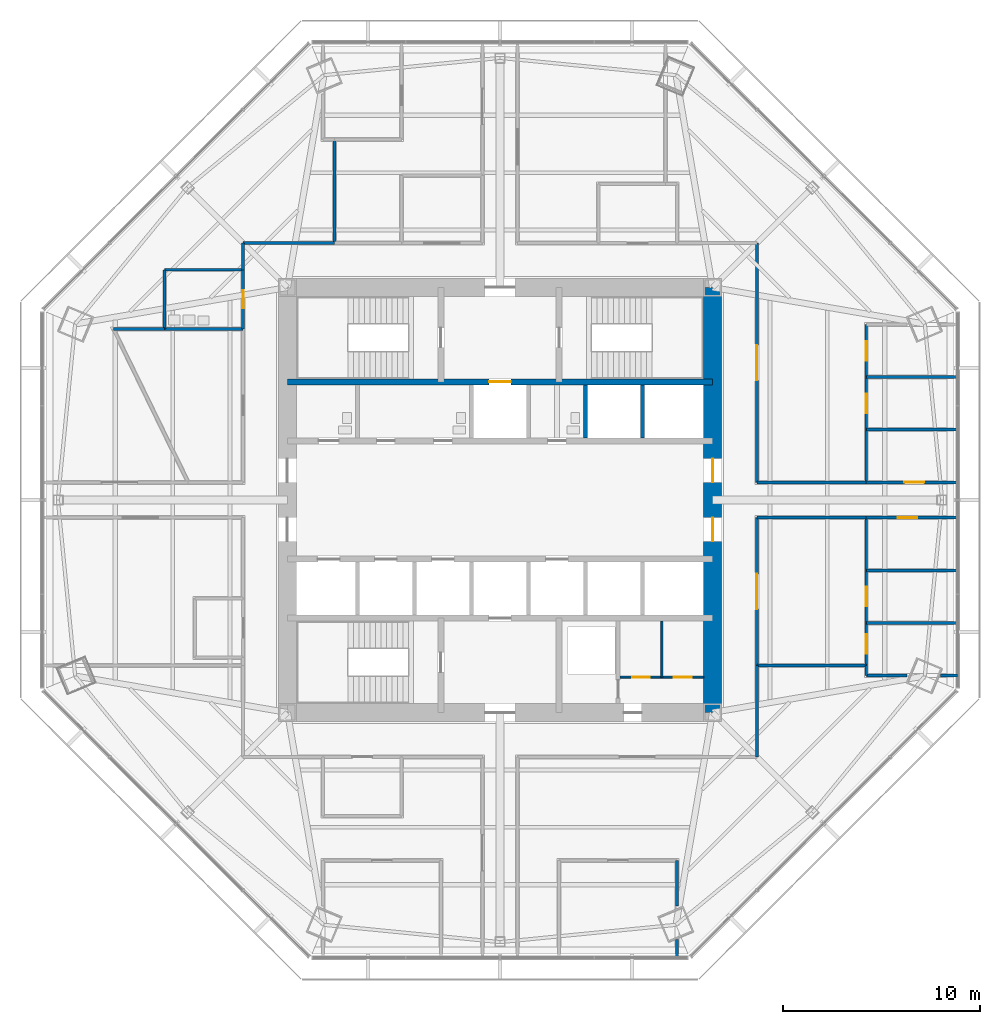
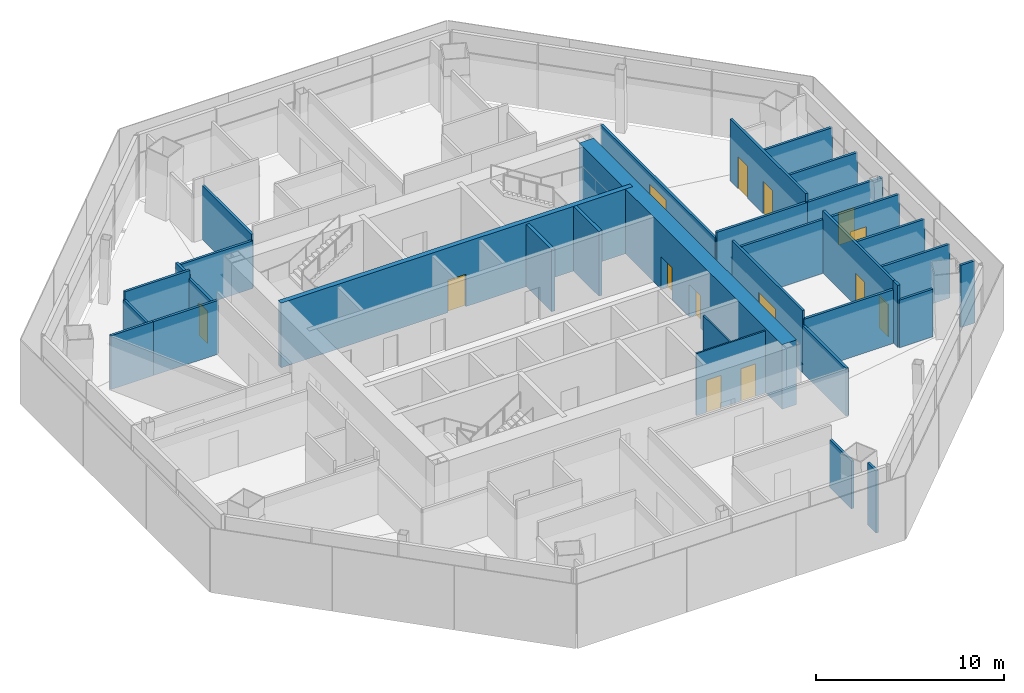
# One storey, part 10 of 15: 33 walls, 14 doors, 14 openings.
"""IFC4 building model written with IfcOpenShell, lengths in metres."""

from ifc_helpers import new_model, si_unit, direction, frame, frame_2d, origin, place, context, subcontext, project, spatial, rectangle, extrude, material, layer, layer_set, type_object, element, fill, save


model = new_model("IFC4")

# Units and contexts
model_context = context("Model", 3, precision=1e-05, world=origin(), true_north=direction((0.0, 1.0)))
body_context = subcontext(model_context, "Body", "Model", "MODEL_VIEW")
ifc_project = project(units=[si_unit("LENGTHUNIT", "METRE"), si_unit("AREAUNIT", "SQUARE_METRE"), si_unit("VOLUMEUNIT", "CUBIC_METRE"), si_unit("PLANEANGLEUNIT", "RADIAN"), si_unit("MASSUNIT", "GRAM", prefix="KILO")], contexts=[model_context])

# Site, building, storey
site_placement = place(None, origin())
site = spatial("IfcSite", under=ifc_project, at=site_placement, CompositionType="ELEMENT")
building_placement = place(site_placement, origin())
building = spatial("IfcBuilding", under=site, at=building_placement, Name="Mashrafa Tower", CompositionType="ELEMENT")
storey_placement = place(building_placement, frame((0.0, 0.0, 168.0)))
storey = spatial("IfcBuildingStorey", under=building, at=storey_placement, Name="L38", CompositionType="ELEMENT", Elevation=168.0)

# Wall, opening, door
ifc_material_1 = material(Name="Concrete C60/75", Category="concrete")
ifc_layer_1 = layer(ifc_material_1, 0.300048828125)
ifc_layer_set_1 = layer_set([ifc_layer_1], Name="Core wall 300 C60/75")
wall_type_1 = type_object("IfcWallType", Name="Core wall 300 C60/75", PredefinedType="SOLIDWALL", material=ifc_layer_set_1)
wall_1_placement = place(storey_placement, frame((-10.800048828125, 6.0, 0.0), z_axis=(0.0, 0.0, 1.0), x_axis=(1.0, 0.0, 0.0)))
wall_1 = element("IfcWall", 1, at=wall_1_placement, inside=storey, type_object=wall_type_1, Name="Core wall CB-N L38", PredefinedType="SOLIDWALL", context=body_context, shape_type="SweptSolid", body=[
    extrude(rectangle(XDim=21.60009765625, YDim=0.300048828125, at=frame_2d((10.800048828125, 0.0))), origin(), (0.0, 0.0, 1.0), 4.199951171875),
])
opening_1_placement = place(wall_1_placement, frame((10.25, 0.0, 0.0)))
opening_1 = element("IfcOpeningElement", 2, at=opening_1_placement, cuts=wall_1, Name="Opening 38.F1", PredefinedType="OPENING", context=body_context, shape_type="SweptSolid", body=[
    extrude(rectangle(XDim=1.10009765625, YDim=2.10009765625, at=frame_2d((0.550048828125, 1.050048828125))), frame((0.0, 0.159912109375, 0.0), z_axis=(0.0, -1.0, 0.0), x_axis=(1.0, 0.0, 0.0)), (0.0, 0.0, 1.0), 0.320068359375),
])
ifc_material_2 = material(Name="Steel door", Category="steel")
door_type_1 = type_object("IfcDoorType", Name="Lift landing door 1100 x 2100 90 min", OperationType="DOUBLE_DOOR_SLIDING", PredefinedType="DOOR", material=ifc_material_2)
door_1_placement = place(opening_1_placement, origin())
door_1 = element("IfcDoor", 3, at=door_1_placement, inside=storey, type_object=door_type_1, Name="Lift landing door F1 L38", OperationType="DOUBLE_DOOR_SLIDING", OverallHeight=2.10009765625, OverallWidth=1.10009765625, PredefinedType="DOOR", context=body_context, shape_type="SweptSolid", body=[
    extrude(rectangle(XDim=1.10009765625, YDim=2.10009765625, at=frame_2d((0.550048828125, 1.050048828125))), frame((0.0, 0.02490234375, 0.0), z_axis=(0.0, -1.0, 0.0), x_axis=(1.0, 0.0, 0.0)), (0.0, 0.0, 1.0), 0.050048828125),
])
fill(opening_1, door_1)

# Wall, openings, doors
ifc_material_3 = material(Name="Concrete C60/75", Category="concrete")
ifc_layer_2 = layer(ifc_material_3, 0.89990234375)
ifc_layer_set_2 = layer_set([ifc_layer_2], Name="Core wall 900 C60/75")
wall_type_2 = type_object("IfcWallType", Name="Core wall 900 C60/75", PredefinedType="SOLIDWALL", material=ifc_layer_set_2)
wall_2_placement = place(storey_placement, frame((10.800048828125, -10.800048828125, 0.0), z_axis=(0.0, 0.0, 1.0), x_axis=(0.0, 1.0, 0.0)))
wall_2 = element("IfcWall", 4, at=wall_2_placement, inside=storey, type_object=wall_type_2, Name="Core wall CW-E L38", PredefinedType="SOLIDWALL", context=body_context, shape_type="SweptSolid", body=[
    extrude(rectangle(XDim=21.60009765625, YDim=0.89990234375, at=frame_2d((10.800048828125, 0.0))), origin(), (0.0, 0.0, 1.0), 4.199951171875),
])
opening_2_placement = place(wall_2_placement, frame((11.699951171875, 0.0, 0.0)))
opening_2 = element("IfcOpeningElement", 5, at=opening_2_placement, cuts=wall_2, Name="Opening 38.024", PredefinedType="OPENING", context=body_context, shape_type="SweptSolid", body=[
    extrude(rectangle(XDim=1.199951171875, YDim=2.10009765625, at=frame_2d((0.60009765625, 1.050048828125))), frame((0.0, 0.4599609375, 0.0), z_axis=(0.0, -1.0, 0.0), x_axis=(1.0, 0.0, 0.0)), (0.0, 0.0, 1.0), 0.919921875),
])
opening_3_placement = place(wall_2_placement, frame((8.699951171875, 0.0, 0.0)))
opening_3 = element("IfcOpeningElement", 6, at=opening_3_placement, cuts=wall_2, Name="Opening 38.026", PredefinedType="OPENING", context=body_context, shape_type="SweptSolid", body=[
    extrude(rectangle(XDim=1.199951171875, YDim=2.10009765625, at=frame_2d((0.60009765625, 1.050048828125))), frame((0.0, 0.4599609375, 0.0), z_axis=(0.0, -1.0, 0.0), x_axis=(1.0, 0.0, 0.0)), (0.0, 0.0, 1.0), 0.919921875),
])
ifc_material_4 = material(Name="Steel door", Category="steel")
door_type_2 = type_object("IfcDoorType", Name="Lift hall door 1200 x 2100 90 min", OperationType="USERDEFINED", PredefinedType="DOOR", material=ifc_material_4)
door_2_placement = place(opening_2_placement, frame((1.199951171875, 0.0, 0.0), z_axis=(0.0, 0.0, 1.0), x_axis=(-1.0, 0.0, 0.0)))
door_2 = element("IfcDoor", 7, at=door_2_placement, inside=storey, type_object=door_type_2, Name="Lift hall door east L38", OperationType="SINGLE_SWING_LEFT", OverallHeight=2.10009765625, OverallWidth=1.199951171875, PredefinedType="DOOR", context=body_context, shape_type="SweptSolid", body=[
    extrude(rectangle(XDim=1.199951171875, YDim=2.10009765625, at=frame_2d((0.60009765625, 1.050048828125))), frame((0.0, 0.02490234375, 0.0), z_axis=(0.0, -1.0, 0.0), x_axis=(1.0, 0.0, 0.0)), (0.0, 0.0, 1.0), 0.050048828125),
])
fill(opening_2, door_2)
door_3_placement = place(opening_3_placement, frame((1.199951171875, 0.0, 0.0), z_axis=(0.0, 0.0, 1.0), x_axis=(-1.0, 0.0, 0.0)))
door_3 = element("IfcDoor", 8, at=door_3_placement, inside=storey, type_object=door_type_2, Name="Lift hall door east L38", OperationType="SINGLE_SWING_RIGHT", OverallHeight=2.10009765625, OverallWidth=1.199951171875, PredefinedType="DOOR", context=body_context, shape_type="SweptSolid", body=[
    extrude(rectangle(XDim=1.199951171875, YDim=2.10009765625, at=frame_2d((0.60009765625, 1.050048828125))), frame((0.0, 0.02490234375, 0.0), z_axis=(0.0, -1.0, 0.0), x_axis=(1.0, 0.0, 0.0)), (0.0, 0.0, 1.0), 0.050048828125),
])
fill(opening_3, door_3)

# Wall, opening, door
ifc_material_5 = material(Name="Gypsum board on steel studs", Category="steel")
ifc_layer_3 = layer(ifc_material_5, 0.14990234375)
ifc_layer_set_3 = layer_set([ifc_layer_3], Name="Corridor partition 150 1 hr")
wall_type_3 = type_object("IfcWallType", Name="Corridor partition 150 1 hr", PredefinedType="PARTITIONING", material=ifc_layer_set_3)
wall_3_placement = place(storey_placement, frame((-13.050048828125, 11.700927734375, 0.0), z_axis=(0.0, 0.0, 1.0), x_axis=(0.0, -1.0, 0.0)))
wall_3 = element("IfcWall", 9, at=wall_3_placement, inside=storey, type_object=wall_type_3, Name="Corridor wall L38-003", PredefinedType="PARTITIONING", context=body_context, shape_type="SweptSolid", body=[
    extrude(rectangle(XDim=3.001953125, YDim=0.14990234375, at=frame_2d((1.5009765625, 0.0))), origin(), (0.0, 0.0, 1.0), 3.097900390625),
])
opening_4_placement = place(wall_3_placement, frame((1.051025390625, 0.0, 0.0)))
opening_4 = element("IfcOpeningElement", 10, at=opening_4_placement, cuts=wall_3, Name="Opening 38.002", PredefinedType="OPENING", context=body_context, shape_type="SweptSolid", body=[
    extrude(rectangle(XDim=0.89990234375, YDim=2.10009765625, at=frame_2d((0.449951171875, 1.050048828125))), frame((0.0, 0.0849609375, 0.0), z_axis=(0.0, -1.0, 0.0), x_axis=(1.0, 0.0, 0.0)), (0.0, 0.0, 1.0), 0.169921875),
])
ifc_material_6 = material(Name="Timber door", Category="wood")
door_type_3 = type_object("IfcDoorType", Name="Toilet door 900 x 2100", OperationType="USERDEFINED", PredefinedType="DOOR", material=ifc_material_6)
door_4_placement = place(opening_4_placement, frame((0.89990234375, 0.0, 0.0), z_axis=(0.0, 0.0, 1.0), x_axis=(-1.0, 0.0, 0.0)))
door_4 = element("IfcDoor", 11, at=door_4_placement, inside=storey, type_object=door_type_3, Name="Ablution Room L38 door", OperationType="SINGLE_SWING_RIGHT", OverallHeight=2.10009765625, OverallWidth=0.89990234375, PredefinedType="DOOR", context=body_context, shape_type="SweptSolid", body=[
    extrude(rectangle(XDim=0.89990234375, YDim=2.10009765625, at=frame_2d((0.449951171875, 1.050048828125))), frame((0.0, 0.02490234375, 0.0), z_axis=(0.0, -1.0, 0.0), x_axis=(1.0, 0.0, 0.0)), (0.0, 0.0, 1.0), 0.050048828125),
])
fill(opening_4, door_4)

wall_4_placement = place(storey_placement, frame((18.611083984375, -0.89990234375, 0.0), z_axis=(0.0, 0.0, 1.0), x_axis=(1.0, 0.0, 0.0)))
wall_4 = element("IfcWall", 12, at=wall_4_placement, inside=storey, type_object=wall_type_3, Name="Corridor wall L38-009", PredefinedType="PARTITIONING", context=body_context, shape_type="SweptSolid", body=[
    extrude(rectangle(XDim=4.635009765625, YDim=0.14990234375, at=frame_2d((2.3173828125, 0.0))), origin(), (0.0, 0.0, 1.0), 3.49169921875),
])
opening_5_placement = place(wall_4_placement, frame((1.6005859375, 0.0, 0.0)))
opening_5 = element("IfcOpeningElement", 13, at=opening_5_placement, cuts=wall_4, Name="Opening 38.010", PredefinedType="OPENING", context=body_context, shape_type="SweptSolid", body=[
    extrude(rectangle(XDim=1.0, YDim=2.10009765625, at=frame_2d((0.5, 1.050048828125))), frame((0.0, 0.0849609375, 0.0), z_axis=(0.0, -1.0, 0.0), x_axis=(1.0, 0.0, 0.0)), (0.0, 0.0, 1.0), 0.169921875),
])
ifc_material_7 = material(Name="Timber door", Category="wood")
door_type_4 = type_object("IfcDoorType", Name="Door 1000 x 2100", OperationType="USERDEFINED", PredefinedType="DOOR", material=ifc_material_7)
door_5_placement = place(opening_5_placement, frame((1.0, 0.0, 0.0), z_axis=(0.0, 0.0, 1.0), x_axis=(-1.0, 0.0, 0.0)))
door_5 = element("IfcDoor", 14, at=door_5_placement, inside=storey, type_object=door_type_4, Name="Office 38-1-3 door", OperationType="SINGLE_SWING_RIGHT", OverallHeight=2.10009765625, OverallWidth=1.0, PredefinedType="DOOR", context=body_context, shape_type="SweptSolid", body=[
    extrude(rectangle(XDim=1.0, YDim=2.10009765625, at=frame_2d((0.5, 1.050048828125))), frame((0.0, 0.02490234375, 0.0), z_axis=(0.0, -1.0, 0.0), x_axis=(1.0, 0.0, 0.0)), (0.0, 0.0, 1.0), 0.050048828125),
])
fill(opening_5, door_5)

wall_5_placement = place(storey_placement, frame((23.24609375, 0.89990234375, 0.0), z_axis=(0.0, 0.0, 1.0), x_axis=(-1.0, 0.0, 0.0)))
wall_5 = element("IfcWall", 15, at=wall_5_placement, inside=storey, type_object=wall_type_3, Name="Corridor wall L38-010", PredefinedType="PARTITIONING", context=body_context, shape_type="SweptSolid", body=[
    extrude(rectangle(XDim=4.635009765625, YDim=0.14990234375, at=frame_2d((2.3173828125, 0.0))), origin(), (0.0, 0.0, 1.0), 3.49169921875),
])
opening_6_placement = place(wall_5_placement, frame((1.699462890625, 0.0, 0.0)))
opening_6 = element("IfcOpeningElement", 16, at=opening_6_placement, cuts=wall_5, Name="Opening 38.011", PredefinedType="OPENING", context=body_context, shape_type="SweptSolid", body=[
    extrude(rectangle(XDim=1.0, YDim=2.10009765625, at=frame_2d((0.5, 1.050048828125))), frame((0.0, 0.0849609375, 0.0), z_axis=(0.0, -1.0, 0.0), x_axis=(1.0, 0.0, 0.0)), (0.0, 0.0, 1.0), 0.169921875),
])
door_6_placement = place(opening_6_placement, frame((1.0, 0.0, 0.0), z_axis=(0.0, 0.0, 1.0), x_axis=(-1.0, 0.0, 0.0)))
door_6 = element("IfcDoor", 17, at=door_6_placement, inside=storey, type_object=door_type_4, Name="Office 38-2-1 door", OperationType="SINGLE_SWING_RIGHT", OverallHeight=2.10009765625, OverallWidth=1.0, PredefinedType="DOOR", context=body_context, shape_type="SweptSolid", body=[
    extrude(rectangle(XDim=1.0, YDim=2.10009765625, at=frame_2d((0.5, 1.050048828125))), frame((0.0, 0.02490234375, 0.0), z_axis=(0.0, -1.0, 0.0), x_axis=(1.0, 0.0, 0.0)), (0.0, 0.0, 1.0), 0.050048828125),
])
fill(opening_6, door_6)

# Wall
wall_6_placement = place(storey_placement, frame((18.61328125, 0.89990234375, 0.0), z_axis=(0.0, 0.0, 1.0), x_axis=(-1.0, 0.0, 0.0)))
element("IfcWall", 18, at=wall_6_placement, inside=storey, type_object=wall_type_3, Name="Corridor wall L38-011", PredefinedType="PARTITIONING", context=body_context, shape_type="SweptSolid", body=[
    extrude(rectangle(XDim=5.563232421875, YDim=0.14990234375, at=frame_2d((2.78173828125, 0.0))), origin(), (0.0, 0.0, 1.0), 3.49169921875),
])

# Wall, opening, door
wall_7_placement = place(storey_placement, frame((13.050048828125, 0.89990234375, 0.0), z_axis=(0.0, 0.0, 1.0), x_axis=(0.0, 1.0, 0.0)))
wall_7 = element("IfcWall", 19, at=wall_7_placement, inside=storey, type_object=wall_type_3, Name="Corridor wall L38-012", PredefinedType="PARTITIONING", context=body_context, shape_type="SweptSolid", body=[
    extrude(rectangle(XDim=12.150146484375, YDim=0.14990234375, at=frame_2d((6.0751953125, 0.0))), origin(), (0.0, 0.0, 1.0), 3.097900390625),
])
opening_7_placement = place(wall_7_placement, frame((5.175048828125, 0.0, 0.0)))
opening_7 = element("IfcOpeningElement", 20, at=opening_7_placement, cuts=wall_7, Name="Opening 38.016", PredefinedType="OPENING", context=body_context, shape_type="SweptSolid", body=[
    extrude(rectangle(XDim=1.800048828125, YDim=2.39990234375, at=frame_2d((0.89990234375, 1.199951171875))), frame((0.0, 0.0849609375, 0.0), z_axis=(0.0, -1.0, 0.0), x_axis=(1.0, 0.0, 0.0)), (0.0, 0.0, 1.0), 0.169921875),
])
ifc_material_8 = material(Name="Timber door", Category="wood")
door_type_5 = type_object("IfcDoorType", Name="Door pair 1800 x 2400", OperationType="DOUBLE_DOOR_SINGLE_SWING", PredefinedType="DOOR", material=ifc_material_8)
door_7_placement = place(opening_7_placement, frame((1.800048828125, 0.0, 0.0), z_axis=(0.0, 0.0, 1.0), x_axis=(-1.0, 0.0, 0.0)))
door_7 = element("IfcDoor", 21, at=door_7_placement, inside=storey, type_object=door_type_5, Name="Office Tenancy 38-1-NE1 door", OperationType="DOUBLE_DOOR_SINGLE_SWING", OverallHeight=2.39990234375, OverallWidth=1.800048828125, PredefinedType="DOOR", context=body_context, shape_type="SweptSolid", body=[
    extrude(rectangle(XDim=1.800048828125, YDim=2.39990234375, at=frame_2d((0.89990234375, 1.199951171875))), frame((0.0, 0.02490234375, 0.0), z_axis=(0.0, -1.0, 0.0), x_axis=(1.0, 0.0, 0.0)), (0.0, 0.0, 1.0), 0.050048828125),
])
fill(opening_7, door_7)

# Walls
wall_8_placement = place(storey_placement, frame((-8.39892578125, 13.050048828125, 0.0), z_axis=(0.0, 0.0, 1.0), x_axis=(-1.0, 0.0, 0.0)))
element("IfcWall", 22, at=wall_8_placement, inside=storey, type_object=wall_type_3, Name="Corridor wall L38-017", PredefinedType="PARTITIONING", context=body_context, shape_type="SweptSolid", body=[
    extrude(rectangle(XDim=4.651123046875, YDim=0.14990234375, at=frame_2d((2.32568359375, 0.0))), origin(), (0.0, 0.0, 1.0), 3.097900390625),
])
wall_9_placement = place(storey_placement, frame((-13.050048828125, 13.050048828125, 0.0), z_axis=(0.0, 0.0, 1.0), x_axis=(0.0, -1.0, 0.0)))
element("IfcWall", 23, at=wall_9_placement, inside=storey, type_object=wall_type_3, Name="Corridor wall L38-018", PredefinedType="PARTITIONING", context=body_context, shape_type="SweptSolid", body=[
    extrude(rectangle(XDim=1.35107421875, YDim=0.14990234375, at=frame_2d((0.675537109375, 0.0))), origin(), (0.0, 0.0, 1.0), 3.2705078125),
])
wall_10_placement = place(storey_placement, frame((13.050048828125, -13.050048828125, 0.0), z_axis=(0.0, 0.0, 1.0), x_axis=(0.0, 1.0, 0.0)))
element("IfcWall", 24, at=wall_10_placement, inside=storey, type_object=wall_type_3, Name="Corridor wall L38-030", PredefinedType="PARTITIONING", context=body_context, shape_type="SweptSolid", body=[
    extrude(rectangle(XDim=4.651123046875, YDim=0.14990234375, at=frame_2d((2.32568359375, 0.0))), origin(), (0.0, 0.0, 1.0), 3.097900390625),
])

# Wall, opening, door
wall_11_placement = place(storey_placement, frame((13.050048828125, -8.40087890625, 0.0), z_axis=(0.0, 0.0, 1.0), x_axis=(0.0, 1.0, 0.0)))
wall_11 = element("IfcWall", 25, at=wall_11_placement, inside=storey, type_object=wall_type_3, Name="Corridor wall L38-031", PredefinedType="PARTITIONING", context=body_context, shape_type="SweptSolid", body=[
    extrude(rectangle(XDim=7.5009765625, YDim=0.14990234375, at=frame_2d((3.75048828125, 0.0))), origin(), (0.0, 0.0, 1.0), 4.034912109375),
])
opening_8_placement = place(wall_11_placement, frame((2.8505859375, 0.0, 0.0)))
opening_8 = element("IfcOpeningElement", 26, at=opening_8_placement, cuts=wall_11, Name="Opening 38.023", PredefinedType="OPENING", context=body_context, shape_type="SweptSolid", body=[
    extrude(rectangle(XDim=1.800048828125, YDim=2.39990234375, at=frame_2d((0.89990234375, 1.199951171875))), frame((0.0, 0.0849609375, 0.0), z_axis=(0.0, -1.0, 0.0), x_axis=(1.0, 0.0, 0.0)), (0.0, 0.0, 1.0), 0.169921875),
])
door_8_placement = place(opening_8_placement, frame((1.800048828125, 0.0, 0.0), z_axis=(0.0, 0.0, 1.0), x_axis=(-1.0, 0.0, 0.0)))
door_8 = element("IfcDoor", 27, at=door_8_placement, inside=storey, type_object=door_type_5, Name="Office Tenancy 38-2-SE2 door", OperationType="DOUBLE_DOOR_SINGLE_SWING", OverallHeight=2.39990234375, OverallWidth=1.800048828125, PredefinedType="DOOR", context=body_context, shape_type="SweptSolid", body=[
    extrude(rectangle(XDim=1.800048828125, YDim=2.39990234375, at=frame_2d((0.89990234375, 1.199951171875))), frame((0.0, 0.02490234375, 0.0), z_axis=(0.0, -1.0, 0.0), x_axis=(1.0, 0.0, 0.0)), (0.0, 0.0, 1.0), 0.050048828125),
])
fill(opening_8, door_8)

# Wall
wall_12_placement = place(storey_placement, frame((13.050048828125, -0.89990234375, 0.0), z_axis=(0.0, 0.0, 1.0), x_axis=(1.0, 0.0, 0.0)))
element("IfcWall", 28, at=wall_12_placement, inside=storey, type_object=wall_type_3, Name="Corridor wall L38-032", PredefinedType="PARTITIONING", context=body_context, shape_type="SweptSolid", body=[
    extrude(rectangle(XDim=5.563232421875, YDim=0.14990234375, at=frame_2d((2.78173828125, 0.0))), origin(), (0.0, 0.0, 1.0), 3.49169921875),
])

# Wall, openings, doors
ifc_material_9 = material(Name="Gypsum board on steel studs", Category="steel")
ifc_layer_4 = layer(ifc_material_9, 0.10009765625)
ifc_layer_set_4 = layer_set([ifc_layer_4], Name="Partition 100 1 hr")
wall_type_4 = type_object("IfcWallType", Name="Partition 100 1 hr", PredefinedType="PARTITIONING", material=ifc_layer_set_4)
wall_13_placement = place(storey_placement, frame((6.10009765625, -9.0, 0.0), z_axis=(0.0, 0.0, 1.0), x_axis=(1.0, 0.0, 0.0)))
wall_13 = element("IfcWall", 29, at=wall_13_placement, inside=storey, type_object=wall_type_4, Name="Services lobby partition A L38", PredefinedType="PARTITIONING", context=body_context, shape_type="SweptSolid", body=[
    extrude(rectangle(XDim=4.25, YDim=0.10009765625, at=frame_2d((2.125, 0.0))), origin(), (0.0, 0.0, 1.0), 4.034912109375),
])
opening_9_placement = place(wall_13_placement, frame((0.612548828125, 0.0, 0.0)))
opening_9 = element("IfcOpeningElement", 30, at=opening_9_placement, cuts=wall_13, Name="Opening 38.035", PredefinedType="OPENING", context=body_context, shape_type="SweptSolid", body=[
    extrude(rectangle(XDim=0.89990234375, YDim=2.10009765625, at=frame_2d((0.449951171875, 1.050048828125))), frame((0.0, 0.06005859375, 0.0), z_axis=(0.0, -1.0, 0.0), x_axis=(1.0, 0.0, 0.0)), (0.0, 0.0, 1.0), 0.1201171875),
])
opening_10_placement = place(wall_13_placement, frame((2.737548828125, 0.0, 0.0)))
opening_10 = element("IfcOpeningElement", 31, at=opening_10_placement, cuts=wall_13, Name="Opening 38.036", PredefinedType="OPENING", context=body_context, shape_type="SweptSolid", body=[
    extrude(rectangle(XDim=0.89990234375, YDim=2.10009765625, at=frame_2d((0.449951171875, 1.050048828125))), frame((0.0, 0.06005859375, 0.0), z_axis=(0.0, -1.0, 0.0), x_axis=(1.0, 0.0, 0.0)), (0.0, 0.0, 1.0), 0.1201171875),
])
ifc_material_10 = material(Name="Timber door", Category="wood")
door_type_6 = type_object("IfcDoorType", Name="Store door 900 x 2100", OperationType="USERDEFINED", PredefinedType="DOOR", material=ifc_material_10)
door_9_placement = place(opening_9_placement, origin())
door_9 = element("IfcDoor", 32, at=door_9_placement, inside=storey, type_object=door_type_6, Name="Communications Room L38 door", OperationType="SINGLE_SWING_RIGHT", OverallHeight=2.10009765625, OverallWidth=0.89990234375, PredefinedType="DOOR", context=body_context, shape_type="SweptSolid", body=[
    extrude(rectangle(XDim=0.89990234375, YDim=2.10009765625, at=frame_2d((0.449951171875, 1.050048828125))), frame((0.0, 0.02490234375, 0.0), z_axis=(0.0, -1.0, 0.0), x_axis=(1.0, 0.0, 0.0)), (0.0, 0.0, 1.0), 0.050048828125),
])
fill(opening_9, door_9)
door_10_placement = place(opening_10_placement, origin())
door_10 = element("IfcDoor", 33, at=door_10_placement, inside=storey, type_object=door_type_6, Name="Cleaner's Store L38 door", OperationType="SINGLE_SWING_LEFT", OverallHeight=2.10009765625, OverallWidth=0.89990234375, PredefinedType="DOOR", context=body_context, shape_type="SweptSolid", body=[
    extrude(rectangle(XDim=0.89990234375, YDim=2.10009765625, at=frame_2d((0.449951171875, 1.050048828125))), frame((0.0, 0.02490234375, 0.0), z_axis=(0.0, -1.0, 0.0), x_axis=(1.0, 0.0, 0.0)), (0.0, 0.0, 1.0), 0.050048828125),
])
fill(opening_10, door_10)

# Walls
wall_14_placement = place(storey_placement, frame((8.22509765625, -9.0, 0.0), z_axis=(0.0, 0.0, 1.0), x_axis=(0.0, 1.0, 0.0)))
element("IfcWall", 34, at=wall_14_placement, inside=storey, type_object=wall_type_4, Name="Services lobby partition B L38", PredefinedType="PARTITIONING", context=body_context, shape_type="SweptSolid", body=[
    extrude(rectangle(XDim=2.85009765625, YDim=0.10009765625, at=frame_2d((1.425048828125, 0.0))), origin(), (0.0, 0.0, 1.0), 4.034912109375),
])
ifc_material_11 = material(Name="Gypsum board on steel studs", Category="steel")
ifc_layer_5 = layer(ifc_material_11, 0.14990234375)
ifc_layer_set_5 = layer_set([ifc_layer_5], Name="Partition 150")
wall_type_5 = type_object("IfcWallType", Name="Partition 150", PredefinedType="PARTITIONING", material=ifc_layer_set_5)
wall_15_placement = place(storey_placement, frame((-13.050048828125, 8.699951171875, 0.0), z_axis=(0.0, 0.0, 1.0), x_axis=(-1.0, 0.0, 0.0)))
element("IfcWall", 35, at=wall_15_placement, inside=storey, type_object=wall_type_5, Name="Partition wall L38-033", PredefinedType="PARTITIONING", context=body_context, shape_type="SweptSolid", body=[
    extrude(rectangle(XDim=4.0009765625, YDim=0.14990234375, at=frame_2d((2.00048828125, 0.0))), origin(), (0.0, 0.0, 1.0), 3.49169921875),
])
wall_16_placement = place(storey_placement, frame((-17.049072265625, 8.699951171875, 0.0), z_axis=(0.0, 0.0, 1.0), x_axis=(-1.0, 0.0, 0.0)))
element("IfcWall", 36, at=wall_16_placement, inside=storey, type_object=wall_type_5, Name="Partition wall L38-034", PredefinedType="PARTITIONING", context=body_context, shape_type="SweptSolid", body=[
    extrude(rectangle(XDim=2.600830078125, YDim=0.14990234375, at=frame_2d((1.30029296875, 0.0))), origin(), (0.0, 0.0, 1.0), 3.49169921875),
])
wall_17_placement = place(storey_placement, frame((-13.050048828125, 11.699951171875, 0.0), z_axis=(0.0, 0.0, 1.0), x_axis=(-1.0, 0.0, 0.0)))
element("IfcWall", 37, at=wall_17_placement, inside=storey, type_object=wall_type_5, Name="Partition wall L38-036", PredefinedType="PARTITIONING", context=body_context, shape_type="SweptSolid", body=[
    extrude(rectangle(XDim=4.0, YDim=0.14990234375, at=frame_2d((2.0, 0.0))), origin(), (0.0, 0.0, 1.0), 3.61865234375),
])
wall_18_placement = place(storey_placement, frame((-17.050048828125, 11.699951171875, 0.0), z_axis=(0.0, 0.0, 1.0), x_axis=(0.0, -1.0, 0.0)))
element("IfcWall", 38, at=wall_18_placement, inside=storey, type_object=wall_type_5, Name="Partition wall L38-037", PredefinedType="PARTITIONING", context=body_context, shape_type="SweptSolid", body=[
    extrude(rectangle(XDim=3.0, YDim=0.14990234375, at=frame_2d((1.5, 0.0))), origin(), (0.0, 0.0, 1.0), 3.097900390625),
])
wall_19_placement = place(storey_placement, frame((23.244140625, -6.243896484375, 0.0), z_axis=(0.0, 0.0, 1.0), x_axis=(-1.0, 0.0, 0.0)))
element("IfcWall", 39, at=wall_19_placement, inside=storey, type_object=wall_type_5, Name="Partition wall L38-055", PredefinedType="PARTITIONING", context=body_context, shape_type="SweptSolid", body=[
    extrude(rectangle(XDim=4.6318359375, YDim=0.14990234375, at=frame_2d((2.31591796875, 0.0))), origin(), (0.0, 0.0, 1.0), 3.49169921875),
])
wall_20_placement = place(storey_placement, frame((18.6123046875, -8.39892578125, 0.0), z_axis=(0.0, 0.0, 1.0), x_axis=(0.0, -1.0, 0.0)))
element("IfcWall", 40, at=wall_20_placement, inside=storey, type_object=wall_type_5, Name="Partition wall L38-056", PredefinedType="PARTITIONING", context=body_context, shape_type="SweptSolid", body=[
    extrude(rectangle(XDim=0.51708984375, YDim=0.14990234375, at=frame_2d((0.258544921875, 0.0))), origin(), (0.0, 0.0, 1.0), 4.034912109375),
])
wall_21_placement = place(storey_placement, frame((18.6123046875, -8.916015625, 0.0), z_axis=(0.0, 0.0, 1.0), x_axis=(1.0, 0.0, 0.0)))
element("IfcWall", 41, at=wall_21_placement, inside=storey, type_object=wall_type_5, Name="Partition wall L38-057", PredefinedType="PARTITIONING", context=body_context, shape_type="SweptSolid", body=[
    extrude(rectangle(XDim=2.06396484375, YDim=0.14990234375, at=frame_2d((1.031982421875, 0.0))), origin(), (0.0, 0.0, 1.0), 3.097900390625),
])
wall_22_placement = place(storey_placement, frame((22.372802734375, -8.916015625, 0.0), z_axis=(0.0, 0.0, 1.0), x_axis=(1.0, 0.0, 0.0)))
element("IfcWall", 42, at=wall_22_placement, inside=storey, type_object=wall_type_5, Name="Partition wall L38-058", PredefinedType="PARTITIONING", context=body_context, shape_type="SweptSolid", body=[
    extrude(rectangle(XDim=0.871337890625, YDim=0.14990234375, at=frame_2d((0.435546875, 0.0))), origin(), (0.0, 0.0, 1.0), 4.034912109375),
])

# Wall, openings, doors
wall_23_placement = place(storey_placement, frame((18.6123046875, -8.40087890625, 0.0), z_axis=(0.0, 0.0, 1.0), x_axis=(0.0, 1.0, 0.0)))
wall_23 = element("IfcWall", 43, at=wall_23_placement, inside=storey, type_object=wall_type_5, Name="Partition wall L38-059", PredefinedType="PARTITIONING", context=body_context, shape_type="SweptSolid", body=[
    extrude(rectangle(XDim=7.5009765625, YDim=0.14990234375, at=frame_2d((3.75048828125, 0.0))), origin(), (0.0, 0.0, 1.0), 4.034912109375),
])
opening_11_placement = place(wall_23_placement, frame((0.57861328125, 0.0, 0.0)))
opening_11 = element("IfcOpeningElement", 44, at=opening_11_placement, cuts=wall_23, Name="Opening 38.008", PredefinedType="OPENING", context=body_context, shape_type="SweptSolid", body=[
    extrude(rectangle(XDim=1.0, YDim=2.10009765625, at=frame_2d((0.5, 1.050048828125))), frame((0.0, 0.0849609375, 0.0), z_axis=(0.0, -1.0, 0.0), x_axis=(1.0, 0.0, 0.0)), (0.0, 0.0, 1.0), 0.169921875),
])
opening_12_placement = place(wall_23_placement, frame((2.992919921875, 0.0, 0.0)))
opening_12 = element("IfcOpeningElement", 45, at=opening_12_placement, cuts=wall_23, Name="Opening 38.009", PredefinedType="OPENING", context=body_context, shape_type="SweptSolid", body=[
    extrude(rectangle(XDim=1.0, YDim=2.10009765625, at=frame_2d((0.5, 1.050048828125))), frame((0.0, 0.0849609375, 0.0), z_axis=(0.0, -1.0, 0.0), x_axis=(1.0, 0.0, 0.0)), (0.0, 0.0, 1.0), 0.169921875),
])
door_11_placement = place(opening_11_placement, frame((1.0, 0.0, 0.0), z_axis=(0.0, 0.0, 1.0), x_axis=(-1.0, 0.0, 0.0)))
door_11 = element("IfcDoor", 46, at=door_11_placement, inside=storey, type_object=door_type_4, Name="Office 38-2-SE2-1 door", OperationType="SINGLE_SWING_LEFT", OverallHeight=2.10009765625, OverallWidth=1.0, PredefinedType="DOOR", context=body_context, shape_type="SweptSolid", body=[
    extrude(rectangle(XDim=1.0, YDim=2.10009765625, at=frame_2d((0.5, 1.050048828125))), frame((0.0, 0.02490234375, 0.0), z_axis=(0.0, -1.0, 0.0), x_axis=(1.0, 0.0, 0.0)), (0.0, 0.0, 1.0), 0.050048828125),
])
fill(opening_11, door_11)
door_12_placement = place(opening_12_placement, frame((1.0, 0.0, 0.0), z_axis=(0.0, 0.0, 1.0), x_axis=(-1.0, 0.0, 0.0)))
door_12 = element("IfcDoor", 47, at=door_12_placement, inside=storey, type_object=door_type_4, Name="Office 38-2-SE2-2 door", OperationType="SINGLE_SWING_RIGHT", OverallHeight=2.10009765625, OverallWidth=1.0, PredefinedType="DOOR", context=body_context, shape_type="SweptSolid", body=[
    extrude(rectangle(XDim=1.0, YDim=2.10009765625, at=frame_2d((0.5, 1.050048828125))), frame((0.0, 0.02490234375, 0.0), z_axis=(0.0, -1.0, 0.0), x_axis=(1.0, 0.0, 0.0)), (0.0, 0.0, 1.0), 0.050048828125),
])
fill(opening_12, door_12)

# Walls
for number, where, z_axis, x_axis, name in (
    (48, (23.244140625, -3.572021484375, 0.0), (0.0, 0.0, 1.0), (-1.0, 0.0, 0.0), "Partition wall L38-060"),
    (49, (23.244140625, 3.572021484375, 0.0), (0.0, 0.0, 1.0), (-1.0, 0.0, 0.0), "Partition wall L38-063"),
):
    element("IfcWall", number, at=place(storey_placement, frame(where, z_axis=z_axis, x_axis=x_axis)), inside=storey, type_object=wall_type_5, Name=name, PredefinedType="PARTITIONING", context=body_context, shape_type="SweptSolid", body=[
        extrude(rectangle(XDim=4.6318359375, YDim=0.14990234375, at=frame_2d((2.31591796875, 0.0))), origin(), (0.0, 0.0, 1.0), 3.49169921875),
    ])

# Wall, openings, doors
wall_24_placement = place(storey_placement, frame((18.6123046875, 0.89990234375, 0.0), z_axis=(0.0, 0.0, 1.0), x_axis=(0.0, 1.0, 0.0)))
wall_24 = element("IfcWall", 50, at=wall_24_placement, inside=storey, type_object=wall_type_5, Name="Partition wall L38-064", PredefinedType="PARTITIONING", context=body_context, shape_type="SweptSolid", body=[
    extrude(rectangle(XDim=8.01611328125, YDim=0.14990234375, at=frame_2d((4.008056640625, 0.0))), origin(), (0.0, 0.0, 1.0), 4.034912109375),
])
opening_13_placement = place(wall_24_placement, frame((3.508056640625, 0.0, 0.0)))
opening_13 = element("IfcOpeningElement", 51, at=opening_13_placement, cuts=wall_24, Name="Opening 38.012", PredefinedType="OPENING", context=body_context, shape_type="SweptSolid", body=[
    extrude(rectangle(XDim=1.0, YDim=2.10009765625, at=frame_2d((0.5, 1.050048828125))), frame((0.0, 0.0849609375, 0.0), z_axis=(0.0, -1.0, 0.0), x_axis=(1.0, 0.0, 0.0)), (0.0, 0.0, 1.0), 0.169921875),
])
opening_14_placement = place(wall_24_placement, frame((6.179931640625, 0.0, 0.0)))
opening_14 = element("IfcOpeningElement", 52, at=opening_14_placement, cuts=wall_24, Name="Opening 38.013", PredefinedType="OPENING", context=body_context, shape_type="SweptSolid", body=[
    extrude(rectangle(XDim=1.0, YDim=2.10009765625, at=frame_2d((0.5, 1.050048828125))), frame((0.0, 0.0849609375, 0.0), z_axis=(0.0, -1.0, 0.0), x_axis=(1.0, 0.0, 0.0)), (0.0, 0.0, 1.0), 0.169921875),
])
door_13_placement = place(opening_13_placement, frame((1.0, 0.0, 0.0), z_axis=(0.0, 0.0, 1.0), x_axis=(-1.0, 0.0, 0.0)))
door_13 = element("IfcDoor", 53, at=door_13_placement, inside=storey, type_object=door_type_4, Name="Office 38-1-NE1-1 door", OperationType="SINGLE_SWING_LEFT", OverallHeight=2.10009765625, OverallWidth=1.0, PredefinedType="DOOR", context=body_context, shape_type="SweptSolid", body=[
    extrude(rectangle(XDim=1.0, YDim=2.10009765625, at=frame_2d((0.5, 1.050048828125))), frame((0.0, 0.02490234375, 0.0), z_axis=(0.0, -1.0, 0.0), x_axis=(1.0, 0.0, 0.0)), (0.0, 0.0, 1.0), 0.050048828125),
])
fill(opening_13, door_13)
door_14_placement = place(opening_14_placement, frame((1.0, 0.0, 0.0), z_axis=(0.0, 0.0, 1.0), x_axis=(-1.0, 0.0, 0.0)))
door_14 = element("IfcDoor", 54, at=door_14_placement, inside=storey, type_object=door_type_4, Name="Office 38-1-NE1-2 door", OperationType="SINGLE_SWING_RIGHT", OverallHeight=2.10009765625, OverallWidth=1.0, PredefinedType="DOOR", context=body_context, shape_type="SweptSolid", body=[
    extrude(rectangle(XDim=1.0, YDim=2.10009765625, at=frame_2d((0.5, 1.050048828125))), frame((0.0, 0.02490234375, 0.0), z_axis=(0.0, -1.0, 0.0), x_axis=(1.0, 0.0, 0.0)), (0.0, 0.0, 1.0), 0.050048828125),
])
fill(opening_14, door_14)

# Walls
wall_25_placement = place(storey_placement, frame((23.244140625, 6.243896484375, 0.0), z_axis=(0.0, 0.0, 1.0), x_axis=(-1.0, 0.0, 0.0)))
element("IfcWall", 55, at=wall_25_placement, inside=storey, type_object=wall_type_5, Name="Partition wall L38-065", PredefinedType="PARTITIONING", context=body_context, shape_type="SweptSolid", body=[
    extrude(rectangle(XDim=4.6318359375, YDim=0.14990234375, at=frame_2d((2.31591796875, 0.0))), origin(), (0.0, 0.0, 1.0), 3.49169921875),
])
wall_26_placement = place(storey_placement, frame((9.0, -23.244140625, 0.0), z_axis=(0.0, 0.0, 1.0), x_axis=(0.0, 1.0, 0.0)))
element("IfcWall", 56, at=wall_26_placement, inside=storey, type_object=wall_type_5, Name="Partition wall L38-074", PredefinedType="PARTITIONING", context=body_context, shape_type="SweptSolid", body=[
    extrude(rectangle(XDim=0.90625, YDim=0.14990234375, at=frame_2d((0.453125, 0.0))), origin(), (0.0, 0.0, 1.0), 4.034912109375),
])
wall_27_placement = place(storey_placement, frame((9.0, -20.6416015625, 0.0), z_axis=(0.0, 0.0, 1.0), x_axis=(0.0, 1.0, 0.0)))
element("IfcWall", 57, at=wall_27_placement, inside=storey, type_object=wall_type_5, Name="Partition wall L38-075", PredefinedType="PARTITIONING", context=body_context, shape_type="SweptSolid", body=[
    extrude(rectangle(XDim=2.329345703125, YDim=0.14990234375, at=frame_2d((1.16455078125, 0.0))), origin(), (0.0, 0.0, 1.0), 3.097900390625),
])
wall_28_placement = place(storey_placement, frame((-8.39990234375, 13.050048828125, 0.0), z_axis=(0.0, 0.0, 1.0), x_axis=(0.0, 1.0, 0.0)))
element("IfcWall", 58, at=wall_28_placement, inside=storey, type_object=wall_type_5, Name="Partition wall L38-080", PredefinedType="PARTITIONING", context=body_context, shape_type="SweptSolid", body=[
    extrude(rectangle(XDim=5.26220703125, YDim=0.14990234375, at=frame_2d((2.631103515625, 0.0))), origin(), (0.0, 0.0, 1.0), 3.49169921875),
])
wall_29_placement = place(storey_placement, frame((18.6123046875, -8.39990234375, 0.0), z_axis=(0.0, 0.0, 1.0), x_axis=(-1.0, 0.0, 0.0)))
element("IfcWall", 59, at=wall_29_placement, inside=storey, type_object=wall_type_5, Name="Partition wall L38-083", PredefinedType="PARTITIONING", context=body_context, shape_type="SweptSolid", body=[
    extrude(rectangle(XDim=5.562255859375, YDim=0.14990234375, at=frame_2d((2.78125, 0.0))), origin(), (0.0, 0.0, 1.0), 3.49169921875),
])
ifc_material_12 = material(Name="Gypsum shaft wall on steel studs", Category="steel")
ifc_layer_6 = layer(ifc_material_12, 0.199951171875)
ifc_layer_set_6 = layer_set([ifc_layer_6], Name="Shaft divider wall 200 2 hr")
wall_type_6 = type_object("IfcWallType", Name="Shaft divider wall 200 2 hr", PredefinedType="PARTITIONING", material=ifc_layer_set_6)
wall_30_placement = place(storey_placement, frame((4.35009765625, 3.14990234375, 0.0), z_axis=(0.0, 0.0, 1.0), x_axis=(0.0, 1.0, 0.0)))
element("IfcWall", 60, at=wall_30_placement, inside=storey, type_object=wall_type_6, Name="Shaft divider wall N5 L38", PredefinedType="PARTITIONING", context=body_context, shape_type="SweptSolid", body=[
    extrude(rectangle(XDim=2.7001953125, YDim=0.199951171875, at=frame_2d((1.35009765625, 0.0))), origin(), (0.0, 0.0, 1.0), 4.034912109375),
])
wall_31_placement = place(storey_placement, frame((7.25, 3.14990234375, 0.0), z_axis=(0.0, 0.0, 1.0), x_axis=(0.0, 1.0, 0.0)))
element("IfcWall", 61, at=wall_31_placement, inside=storey, type_object=wall_type_6, Name="Shaft divider wall N6 L38", PredefinedType="PARTITIONING", context=body_context, shape_type="SweptSolid", body=[
    extrude(rectangle(XDim=2.7001953125, YDim=0.199951171875, at=frame_2d((1.35009765625, 0.0))), origin(), (0.0, 0.0, 1.0), 4.199951171875),
])

save(model, "model.ifc")
